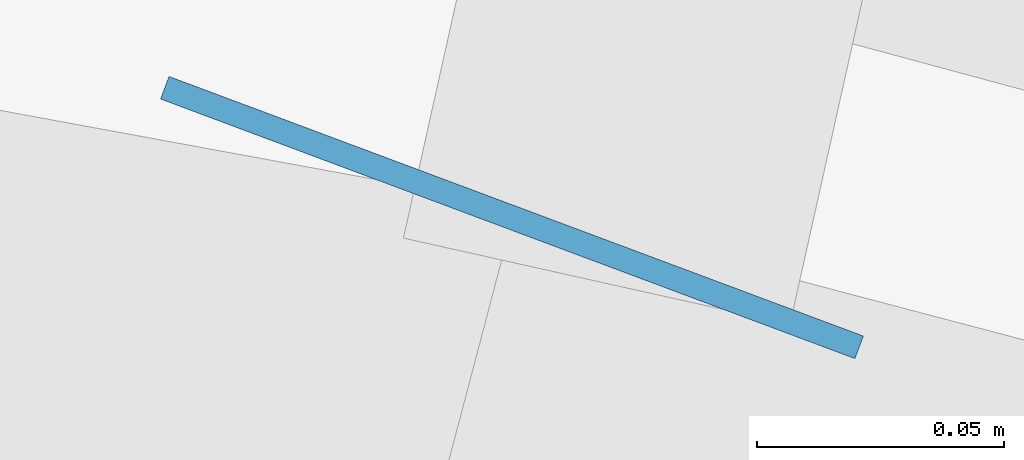
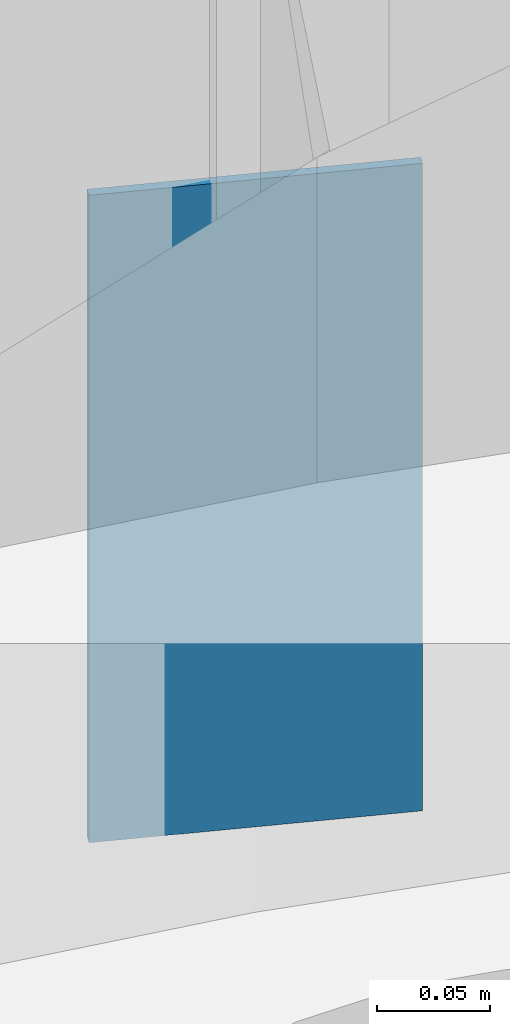
# One storey, part 21 of 29: 1 discrete accessory.
"""IFC4 building model written with IfcOpenShell, lengths in metres."""

from ifc_helpers import new_model, si_unit, direction, frame, origin, origin_2d, place, context, subcontext, project, spatial, rectangle, extrude, material, type_object, element, save


model = new_model("IFC4")

# Units and contexts
model_context = context("Model", 3, precision=1e-05, world=origin(), true_north=direction((0.0, 1.0)))
body_context = subcontext(model_context, "Body", "Model", "MODEL_VIEW")
ifc_project = project(units=[si_unit("LENGTHUNIT", "METRE"), si_unit("AREAUNIT", "SQUARE_METRE"), si_unit("VOLUMEUNIT", "CUBIC_METRE"), si_unit("PLANEANGLEUNIT", "RADIAN"), si_unit("MASSUNIT", "GRAM", prefix="KILO")], contexts=[model_context])

# Site, building, storey
site_placement = place(None, origin())
site = spatial("IfcSite", under=ifc_project, at=site_placement, CompositionType="ELEMENT")
building_placement = place(site_placement, origin())
building = spatial("IfcBuilding", under=site, at=building_placement, Name="Ghaith Harvest Tower", CompositionType="ELEMENT")
storey_placement = place(building_placement, origin())
storey = spatial("IfcBuildingStorey", under=building, at=storey_placement, Name="L00", CompositionType="ELEMENT", Elevation=0.0)

# Discrete accessory
ifc_material = material(Name="Stainless steel grade 1.4401", Category="steel")
discrete_accessory_type = type_object("IfcDiscreteAccessoryType", Name="CURTAIN WALL BRACKET 5", PredefinedType="BRACKET", material=ifc_material)
discrete_accessory_placement = place(storey_placement, frame((11.1025390625, 29.69873046875, -0.25), z_axis=(0.0, 0.0, 1.0), x_axis=(0.35016769709, 0.936687025593, 0.0)))
element("IfcDiscreteAccessory", 1, at=discrete_accessory_placement, inside=storey, type_object=discrete_accessory_type, Name="CW-P bracket 1 bay 05 L00", PredefinedType="BRACKET", context=body_context, shape_type="SweptSolid", body=[
    extrude(rectangle(XDim=0.0048828125, YDim=0.14990234375, at=origin_2d()), origin(), (0.0, 0.0, 1.0), 0.35009765625),
])

save(model, "model.ifc")
